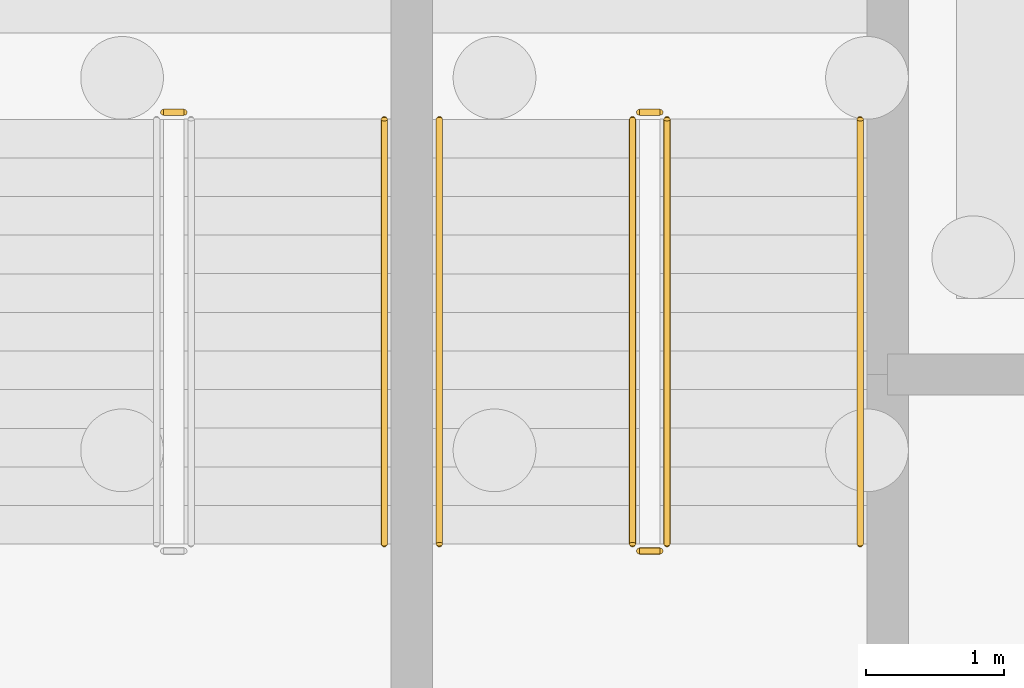
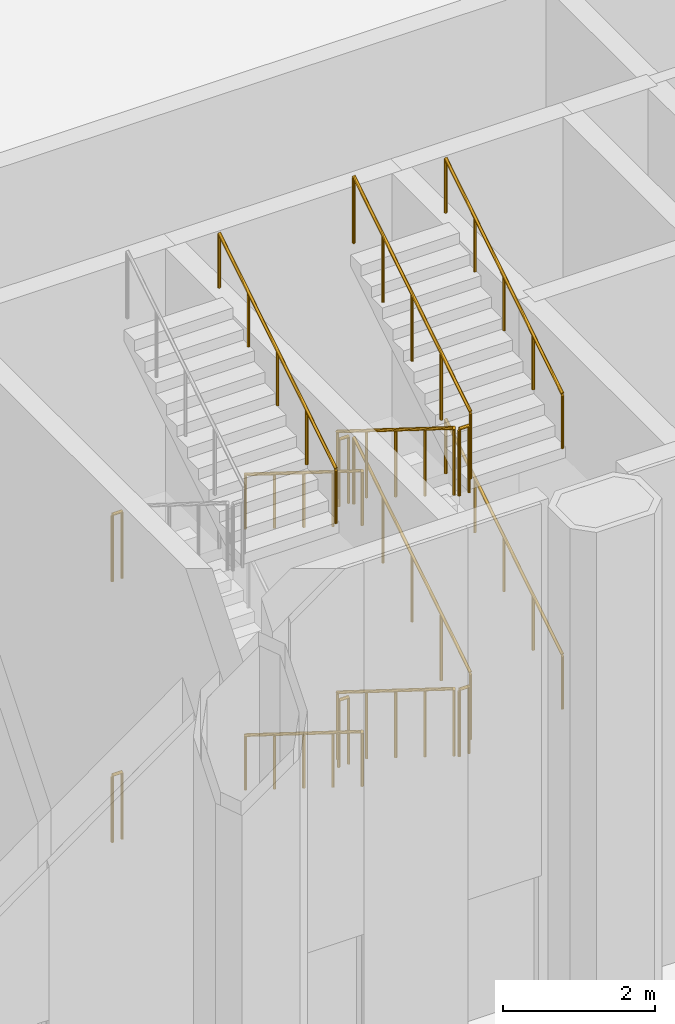
# One storey, part 48 of 54: 15 railings.
"""IFC4 building model written with IfcOpenShell, lengths in metres."""

import ifcopenshell
import ifcopenshell.guid

model = None  # the IFC model being written
_history = None  # IfcOwnerHistory: only IFC2X3 demands one
_inside = {}  # id of a spatial element -> (the spatial element, [elements in it])
_under = {}  # id of a project, library or spatial element -> (it, [spatial elements below it])
_declared = {}  # id of a project -> (the project, [libraries it declares])
_typed = {}  # id of a type object -> (the type object, [elements of that type])
_made_of = {}  # id of a material, layer set ... -> (it, [elements and type objects made of it])


def new_model(schema):
    """Start an empty IFC model of exactly this schema.

    Asked for "IFC4X3", IfcOpenShell would pick the latest addendum, in which some entities
    have other attributes; the version numbers below select the first issue.
    IFC2X3 requires an IfcOwnerHistory on every rooted entity: one is made here for all.
    """
    global model, _history
    if schema == "IFC4X3":
        model = ifcopenshell.file(schema_version=(4, 3, 0, 0))
    else:
        model = ifcopenshell.file(schema=schema)
    _inside.clear()
    _under.clear()
    _declared.clear()
    _typed.clear()
    _made_of.clear()
    _history = None
    if model.schema == "IFC2X3":
        org = make("IfcOrganization", Name="unknown")
        user = make(
            "IfcPersonAndOrganization",
            ThePerson=make("IfcPerson", FamilyName="unknown"),
            TheOrganization=org,
        )
        app = make(
            "IfcApplication",
            ApplicationDeveloper=org,
            Version="unknown",
            ApplicationFullName="unknown",
            ApplicationIdentifier="unknown",
        )
        _history = make(
            "IfcOwnerHistory",
            OwningUser=user,
            OwningApplication=app,
            ChangeAction="ADDED",
            CreationDate=0,
        )
    return model


def make(cls, **values):
    """One entity of the class cls with the attributes given. An attribute that is None is left unset."""
    return model.create_entity(
        cls, **{name: value for name, value in values.items() if value is not None}
    )


def rooted(cls, **values):
    """An entity with a GlobalId (a new one), such as an element, a storey or a relation."""
    return make(cls, GlobalId=ifcopenshell.guid.new(), OwnerHistory=_history, **values)


def si_unit(unit_type, name, prefix=None):
    """IfcSIUnit, for example si_unit("LENGTHUNIT", "METRE", prefix="MILLI")."""
    return make("IfcSIUnit", UnitType=unit_type, Prefix=prefix, Name=name)


def assignment(units):
    """IfcUnitAssignment: the units of a project."""
    return None if units is None else make("IfcUnitAssignment", Units=units)


def point(xyz):
    """IfcCartesianPoint."""
    return None if xyz is None else make("IfcCartesianPoint", Coordinates=xyz)


def direction(xyz):
    """IfcDirection."""
    return None if xyz is None else make("IfcDirection", DirectionRatios=xyz)


def frame(location, z_axis=None, x_axis=None):
    """IfcAxis2Placement3D, a coordinate frame: its origin and axes. An axis left out is left unset."""
    return make(
        "IfcAxis2Placement3D",
        Location=point(location),
        Axis=direction(z_axis),
        RefDirection=direction(x_axis),
    )


def frame_2d(location, x_axis=None):
    """IfcAxis2Placement2D, a coordinate frame in the plane: its origin and x axis."""
    return make(
        "IfcAxis2Placement2D", Location=point(location), RefDirection=direction(x_axis)
    )


def origin():
    """The frame at (0, 0, 0) with its axes left unset."""
    return frame((0.0, 0.0, 0.0))


def origin_2d():
    """The frame at (0, 0) in the plane with its x axis left unset."""
    return frame_2d((0.0, 0.0))


def place(relative_to, where):
    """IfcLocalPlacement: puts the frame where relative to a parent placement (None: the world)."""
    return make(
        "IfcLocalPlacement", PlacementRelTo=relative_to, RelativePlacement=where
    )


def context(
    kind, dimensions, precision=None, world=None, true_north=None, identifier=None
):
    """IfcGeometricRepresentationContext, for example the 3D "Model" context."""
    return make(
        "IfcGeometricRepresentationContext",
        ContextIdentifier=identifier,
        ContextType=kind,
        CoordinateSpaceDimension=dimensions,
        Precision=precision,
        WorldCoordinateSystem=world,
        TrueNorth=true_north,
    )


def subcontext(parent, identifier, kind, view, scale=None):
    """IfcGeometricRepresentationSubContext, for example "Body" below "Model"."""
    return make(
        "IfcGeometricRepresentationSubContext",
        ContextIdentifier=identifier,
        ContextType=kind,
        ParentContext=parent,
        TargetScale=scale,
        TargetView=view,
    )


def project(units=None, contexts=None):
    """IfcProject with its units and contexts."""
    return rooted(
        "IfcProject",
        Name="project",
        RepresentationContexts=contexts,
        UnitsInContext=assignment(units),
    )


def spatial(cls, under=None, at=None, **own):
    """A site, building, storey or space (cls), placed at a placement, below another one or the project."""
    s = rooted(cls, ObjectPlacement=at, **own)
    if under is not None:
        _under.setdefault(under.id(), (under, []))[1].append(s)
    return s


def profile(cls, at=None, kind="AREA", **sizes):
    """A parametric profile (cls). Its sizes go by their IFC names, for example OverallWidth=200.0."""
    return make(cls, ProfileType=kind, Position=at, **sizes)


def circle(**sizes):
    """IfcCircleProfileDef."""
    return profile("IfcCircleProfileDef", **sizes)


def extrude(swept, where, along, depth):
    """IfcExtrudedAreaSolid: the profile swept, set in the frame where, extruded along a direction by depth."""
    return make(
        "IfcExtrudedAreaSolid",
        SweptArea=swept,
        Position=where,
        ExtrudedDirection=direction(along),
        Depth=depth,
    )


def shape(context_of_items, identifier, shape_type, items):
    """IfcShapeRepresentation: the items that make up one representation, for example the "Body"."""
    return make(
        "IfcShapeRepresentation",
        ContextOfItems=context_of_items,
        RepresentationIdentifier=identifier,
        RepresentationType=shape_type,
        Items=items,
    )


def material(Name=None, Category=None):
    """IfcMaterial."""
    return make("IfcMaterial", Name=Name, Category=Category)


def made_of(thing, what):
    """Note that an element or type object is made of a material, layer set ...; save() writes the relation."""
    if what is not None:
        _made_of.setdefault(what.id(), (what, []))[1].append(thing)
    return thing


def type_object(cls, material=None, **own):
    """A type object (cls), such as IfcWallType, which elements share."""
    return made_of(rooted(cls, **own), material)


def element(
    cls,
    number,
    at=None,
    inside=None,
    cuts=None,
    type_object=None,
    material=None,
    context=None,
    identifier="Body",
    shape_type=None,
    held_by="IfcProductDefinitionShape",
    body=None,
    shapes=None,
    **own,
):
    """One element of the class cls, such as IfcWall. Its Tag is "e" and its number.

    at: its placement. inside: the storey or other place that contains it. cuts: it is an
    opening in that element (IfcRelVoidsElement). A single representation is given by context,
    identifier, shape_type and body (its items); several are given by shapes. held_by: the class
    of the entity that holds the representations. save() writes the other relations.
    """
    e = rooted(cls, Tag="e%d" % number, ObjectPlacement=at, **own)
    if body is not None:
        shapes = [shape(context, identifier, shape_type, body)]
    if shapes is not None:
        e.Representation = make(held_by, Representations=shapes)
    if inside is not None:
        _inside.setdefault(inside.id(), (inside, []))[1].append(e)
    if cuts is not None:
        rooted(
            "IfcRelVoidsElement", RelatingBuildingElement=cuts, RelatedOpeningElement=e
        )
    if type_object is not None:
        _typed.setdefault(type_object.id(), (type_object, []))[1].append(e)
    return made_of(e, material)


def aggregate(whole, parts):
    """IfcRelAggregates: a whole, such as a stair, and the parts it consists of."""
    return rooted("IfcRelAggregates", RelatingObject=whole, RelatedObjects=parts)


def save(model, path):
    """Write the relations noted so far, then the file.

    IfcRelAggregates (storeys below a building ...), IfcRelContainedInSpatialStructure (elements
    in a storey), IfcRelDefinesByType, IfcRelAssociatesMaterial and IfcRelDeclares: one each for
    every whole, place, type object, material and project.
    """
    for whole, parts in _under.values():
        aggregate(whole, parts)
    for where, things in _inside.values():
        rooted(
            "IfcRelContainedInSpatialStructure",
            RelatedElements=things,
            RelatingStructure=where,
        )
    for kind, things in _typed.values():
        rooted("IfcRelDefinesByType", RelatedObjects=things, RelatingType=kind)
    for what, things in _made_of.values():
        rooted("IfcRelAssociatesMaterial", RelatedObjects=things, RelatingMaterial=what)
    for by, libraries in _declared.values():
        rooted("IfcRelDeclares", RelatingContext=by, RelatedDefinitions=libraries)
    model.write(path)


model = new_model("IFC4")

# Units and contexts
model_context = context("Model", 3, precision=1e-05, world=origin(), true_north=direction((0.0, 1.0)))
body_context = subcontext(model_context, "Body", "Model", "MODEL_VIEW")
ifc_project = project(units=[si_unit("LENGTHUNIT", "METRE"), si_unit("AREAUNIT", "SQUARE_METRE"), si_unit("VOLUMEUNIT", "CUBIC_METRE"), si_unit("PLANEANGLEUNIT", "RADIAN"), si_unit("MASSUNIT", "GRAM", prefix="KILO")], contexts=[model_context])

# Site, building, storey
site_placement = place(None, origin())
site = spatial("IfcSite", under=ifc_project, at=site_placement, CompositionType="ELEMENT")
building_placement = place(site_placement, origin())
building = spatial("IfcBuilding", under=site, at=building_placement, Name="Tabaq Tower and Sports Hall", CompositionType="ELEMENT")
storey_placement = place(building_placement, origin())
storey = spatial("IfcBuildingStorey", under=building, at=storey_placement, Name="L00", CompositionType="ELEMENT", Elevation=0.0)

# Railings
ifc_material_1 = material(Name="Stainless steel and glass balustrade", Category="steel")
railing_type_1 = type_object("IfcRailingType", Name="HALL GUARD 1100", PredefinedType="GUARDRAIL", material=ifc_material_1)
for number, where, name in (
    (1, (104.25, 6.5, 4.199951171875), "L00 ST-H3 stair guard 4"),
    (2, (104.25, 6.5, 0.0), "L00 ST-H3 stair guard 8"),
):
    element("IfcRailing", number, at=place(storey_placement, frame(where)), inside=storey, type_object=railing_type_1, Name=name, PredefinedType="GUARDRAIL", context=body_context, shape_type="SweptSolid", body=[
        extrude(circle(Radius=0.02392578125, at=origin_2d()), frame((0.0, 0.0, 1.076171875), z_axis=(1.0, 0.0, 0.0), x_axis=(0.0, 1.0, 0.0)), (0.0, 0.0, 1.0), 0.14990234375),
        extrude(circle(Radius=0.02099609375, at=origin_2d()), origin(), (0.0, 0.0, 1.0), 1.052001953125),
        extrude(circle(Radius=0.02099609375, at=origin_2d()), frame((0.14990234375, 0.0, 0.0)), (0.0, 0.0, 1.0), 1.052001953125),
    ])
railing_1_placement = place(storey_placement, frame((107.64990234375, 6.449951171875, 0.175048828125)))
element("IfcRailing", 3, at=railing_1_placement, inside=storey, type_object=railing_type_1, Name="L00 ST-H4 stair guard 1", PredefinedType="GUARDRAIL", context=body_context, shape_type="SweptSolid", body=[
    extrude(circle(Radius=0.02392578125, at=origin_2d()), frame((0.0, 0.0, 1.076171875), z_axis=(0.0, -0.847979421464, 0.530029150871), x_axis=(1.0, 0.0, 0.0)), (0.0, 0.0, 1.0), 3.632080078125),
    extrude(circle(Radius=0.02099609375, at=origin_2d()), origin(), (0.0, 0.0, 1.0), 1.052001953125),
    extrude(circle(Radius=0.02099609375, at=origin_2d()), frame((0.0, -0.77001953125, 0.481201171875)), (0.0, 0.0, 1.0), 1.052001953125),
    extrude(circle(Radius=0.02099609375, at=origin_2d()), frame((0.0, -1.5400390625, 0.96240234375)), (0.0, 0.0, 1.0), 1.052001953125),
    extrude(circle(Radius=0.02099609375, at=origin_2d()), frame((0.0, -2.309814453125, 1.44384765625)), (0.0, 0.0, 1.0), 1.052001953125),
    extrude(circle(Radius=0.02099609375, at=origin_2d()), frame((0.0, -3.079833984375, 1.925048828125)), (0.0, 0.0, 1.0), 1.052001953125),
])
railing_2_placement = place(storey_placement, frame((107.699951171875, 3.320068359375, 2.10009765625)))
element("IfcRailing", 4, at=railing_2_placement, inside=storey, type_object=railing_type_1, Name="L00 ST-H4 stair guard 2", PredefinedType="GUARDRAIL", context=body_context, shape_type="SweptSolid", body=[
    extrude(circle(Radius=0.02392578125, at=origin_2d()), frame((0.0, 0.0, 1.076171875), z_axis=(1.0, 0.0, 0.0), x_axis=(0.0, 1.0, 0.0)), (0.0, 0.0, 1.0), 0.150146484375),
    extrude(circle(Radius=0.02099609375, at=origin_2d()), origin(), (0.0, 0.0, 1.0), 1.052001953125),
    extrude(circle(Radius=0.02099609375, at=origin_2d()), frame((0.150146484375, 0.0, 0.0)), (0.0, 0.0, 1.0), 1.052001953125),
])
railing_3_placement = place(storey_placement, frame((107.89990234375, 3.3701171875, 2.27490234375)))
element("IfcRailing", 5, at=railing_3_placement, inside=storey, type_object=railing_type_1, Name="L00 ST-H4 stair guard 3", PredefinedType="GUARDRAIL", context=body_context, shape_type="SweptSolid", body=[
    extrude(circle(Radius=0.02392578125, at=origin_2d()), frame((0.0, 0.0, 1.076171875), z_axis=(0.0, 0.847979421464, 0.530029150871), x_axis=(-1.0, 0.0, 0.0)), (0.0, 0.0, 1.0), 3.632080078125),
    extrude(circle(Radius=0.02099609375, at=origin_2d()), origin(), (0.0, 0.0, 1.0), 1.052001953125),
    extrude(circle(Radius=0.02099609375, at=origin_2d()), frame((0.0, 0.77001953125, 0.481201171875)), (0.0, 0.0, 1.0), 1.052001953125),
    extrude(circle(Radius=0.02099609375, at=origin_2d()), frame((0.0, 1.5400390625, 0.96240234375)), (0.0, 0.0, 1.0), 1.052001953125),
    extrude(circle(Radius=0.02099609375, at=origin_2d()), frame((0.0, 2.309814453125, 1.44384765625)), (0.0, 0.0, 1.0), 1.052001953125),
    extrude(circle(Radius=0.02099609375, at=origin_2d()), frame((0.0, 3.079833984375, 1.925048828125)), (0.0, 0.0, 1.0), 1.052001953125),
])
railing_4_placement = place(storey_placement, frame((107.699951171875, 6.5, 4.199951171875)))
element("IfcRailing", 6, at=railing_4_placement, inside=storey, type_object=railing_type_1, Name="L00 ST-H4 stair guard 4", PredefinedType="GUARDRAIL", context=body_context, shape_type="SweptSolid", body=[
    extrude(circle(Radius=0.02392578125, at=origin_2d()), frame((0.0, 0.0, 1.076171875), z_axis=(1.0, 0.0, 0.0), x_axis=(0.0, 1.0, 0.0)), (0.0, 0.0, 1.0), 0.150146484375),
    extrude(circle(Radius=0.02099609375, at=origin_2d()), origin(), (0.0, 0.0, 1.0), 1.052001953125),
    extrude(circle(Radius=0.02099609375, at=origin_2d()), frame((0.150146484375, 0.0, 0.0)), (0.0, 0.0, 1.0), 1.052001953125),
])
railing_5_placement = place(storey_placement, frame((107.64990234375, 6.449951171875, 4.375)))
element("IfcRailing", 7, at=railing_5_placement, inside=storey, type_object=railing_type_1, Name="L00 ST-H4 stair guard 5", PredefinedType="GUARDRAIL", context=body_context, shape_type="SweptSolid", body=[
    extrude(circle(Radius=0.02392578125, at=origin_2d()), frame((0.0, 0.0, 1.076171875), z_axis=(0.0, -0.847979421464, 0.530029150871), x_axis=(1.0, 0.0, 0.0)), (0.0, 0.0, 1.0), 3.632080078125),
    extrude(circle(Radius=0.02099609375, at=origin_2d()), origin(), (0.0, 0.0, 1.0), 1.052001953125),
    extrude(circle(Radius=0.02099609375, at=origin_2d()), frame((0.0, -0.77001953125, 0.481201171875)), (0.0, 0.0, 1.0), 1.052001953125),
    extrude(circle(Radius=0.02099609375, at=origin_2d()), frame((0.0, -1.5400390625, 0.96240234375)), (0.0, 0.0, 1.0), 1.052001953125),
    extrude(circle(Radius=0.02099609375, at=origin_2d()), frame((0.0, -2.309814453125, 1.44384765625)), (0.0, 0.0, 1.0), 1.052001953125),
    extrude(circle(Radius=0.02099609375, at=origin_2d()), frame((0.0, -3.079833984375, 1.925048828125)), (0.0, 0.0, 1.0), 1.052001953125),
])
railing_6_placement = place(storey_placement, frame((107.699951171875, 3.320068359375, 6.300048828125)))
element("IfcRailing", 8, at=railing_6_placement, inside=storey, type_object=railing_type_1, Name="L00 ST-H4 stair guard 6", PredefinedType="GUARDRAIL", context=body_context, shape_type="SweptSolid", body=[
    extrude(circle(Radius=0.02392578125, at=origin_2d()), frame((0.0, 0.0, 1.076171875), z_axis=(1.0, 0.0, 0.0), x_axis=(0.0, 1.0, 0.0)), (0.0, 0.0, 1.0), 0.150146484375),
    extrude(circle(Radius=0.02099609375, at=origin_2d()), origin(), (0.0, 0.0, 1.0), 1.052001953125),
    extrude(circle(Radius=0.02099609375, at=origin_2d()), frame((0.150146484375, 0.0, 0.0)), (0.0, 0.0, 1.0), 1.052001953125),
])
railing_7_placement = place(storey_placement, frame((107.89990234375, 3.3701171875, 6.47509765625)))
element("IfcRailing", 9, at=railing_7_placement, inside=storey, type_object=railing_type_1, Name="L00 ST-H4 stair guard 7", PredefinedType="GUARDRAIL", context=body_context, shape_type="SweptSolid", body=[
    extrude(circle(Radius=0.02392578125, at=origin_2d()), frame((0.0, 0.0, 1.076171875), z_axis=(0.0, 0.848009633417, 0.529980812513), x_axis=(-1.0, 0.0, 0.0)), (0.0, 0.0, 1.0), 3.6318359375),
    extrude(circle(Radius=0.02099609375, at=origin_2d()), origin(), (0.0, 0.0, 1.0), 1.052001953125),
    extrude(circle(Radius=0.02099609375, at=origin_2d()), frame((0.0, 0.77001953125, 0.481201171875)), (0.0, 0.0, 1.0), 1.052001953125),
    extrude(circle(Radius=0.02099609375, at=origin_2d()), frame((0.0, 1.5400390625, 0.96240234375)), (0.0, 0.0, 1.0), 1.052001953125),
    extrude(circle(Radius=0.02099609375, at=origin_2d()), frame((0.0, 2.309814453125, 1.443603515625)), (0.0, 0.0, 1.0), 1.052001953125),
    extrude(circle(Radius=0.02099609375, at=origin_2d()), frame((0.0, 3.079833984375, 1.9248046875)), (0.0, 0.0, 1.0), 1.052001953125),
])
railing_8_placement = place(storey_placement, frame((107.699951171875, 6.5, 0.0)))
element("IfcRailing", 10, at=railing_8_placement, inside=storey, type_object=railing_type_1, Name="L00 ST-H4 stair guard 8", PredefinedType="GUARDRAIL", context=body_context, shape_type="SweptSolid", body=[
    extrude(circle(Radius=0.02392578125, at=origin_2d()), frame((0.0, 0.0, 1.076171875), z_axis=(1.0, 0.0, 0.0), x_axis=(0.0, 1.0, 0.0)), (0.0, 0.0, 1.0), 0.150146484375),
    extrude(circle(Radius=0.02099609375, at=origin_2d()), origin(), (0.0, 0.0, 1.0), 1.052001953125),
    extrude(circle(Radius=0.02099609375, at=origin_2d()), frame((0.150146484375, 0.0, 0.0)), (0.0, 0.0, 1.0), 1.052001953125),
])
ifc_material_2 = material(Name="Stainless steel handrail", Category="steel")
railing_type_2 = type_object("IfcRailingType", Name="HALL HANDRAIL 900", PredefinedType="HANDRAIL", material=ifc_material_2)
railing_9_placement = place(storey_placement, frame((105.85009765625, 3.3701171875, 6.47509765625)))
element("IfcRailing", 11, at=railing_9_placement, inside=storey, type_object=railing_type_2, Name="L00 ST-H3 stair handrail 4", PredefinedType="HANDRAIL", context=body_context, shape_type="SweptSolid", body=[
    extrude(circle(Radius=0.02392578125, at=origin_2d()), frame((0.0, 0.0, 0.8759765625), z_axis=(0.0, 0.848009633417, 0.529980812513), x_axis=(-1.0, 0.0, 0.0)), (0.0, 0.0, 1.0), 3.6318359375),
    extrude(circle(Radius=0.02099609375, at=origin_2d()), origin(), (0.0, 0.0, 1.0), 0.851806640625),
    extrude(circle(Radius=0.02099609375, at=origin_2d()), frame((0.0, 0.77001953125, 0.481201171875)), (0.0, 0.0, 1.0), 0.851806640625),
    extrude(circle(Radius=0.02099609375, at=origin_2d()), frame((0.0, 1.5400390625, 0.96240234375)), (0.0, 0.0, 1.0), 0.851806640625),
    extrude(circle(Radius=0.02099609375, at=origin_2d()), frame((0.0, 2.309814453125, 1.443603515625)), (0.0, 0.0, 1.0), 0.851806640625),
    extrude(circle(Radius=0.02099609375, at=origin_2d()), frame((0.0, 3.079833984375, 1.9248046875)), (0.0, 0.0, 1.0), 0.851806640625),
])
railing_10_placement = place(storey_placement, frame((106.25, 6.449951171875, 0.175048828125)))
element("IfcRailing", 12, at=railing_10_placement, inside=storey, type_object=railing_type_2, Name="L00 ST-H4 stair handrail 1", PredefinedType="HANDRAIL", context=body_context, shape_type="SweptSolid", body=[
    extrude(circle(Radius=0.02392578125, at=origin_2d()), frame((0.0, 0.0, 0.8759765625), z_axis=(0.0, -0.847979421464, 0.530029150871), x_axis=(1.0, 0.0, 0.0)), (0.0, 0.0, 1.0), 3.632080078125),
    extrude(circle(Radius=0.02099609375, at=origin_2d()), origin(), (0.0, 0.0, 1.0), 0.851806640625),
    extrude(circle(Radius=0.02099609375, at=origin_2d()), frame((0.0, -0.77001953125, 0.481201171875)), (0.0, 0.0, 1.0), 0.851806640625),
    extrude(circle(Radius=0.02099609375, at=origin_2d()), frame((0.0, -1.5400390625, 0.96240234375)), (0.0, 0.0, 1.0), 0.851806640625),
    extrude(circle(Radius=0.02099609375, at=origin_2d()), frame((0.0, -2.309814453125, 1.44384765625)), (0.0, 0.0, 1.0), 0.851806640625),
    extrude(circle(Radius=0.02099609375, at=origin_2d()), frame((0.0, -3.079833984375, 1.925048828125)), (0.0, 0.0, 1.0), 0.851806640625),
])
railing_11_placement = place(storey_placement, frame((109.300048828125, 3.3701171875, 2.27490234375)))
element("IfcRailing", 13, at=railing_11_placement, inside=storey, type_object=railing_type_2, Name="L00 ST-H4 stair handrail 2", PredefinedType="HANDRAIL", context=body_context, shape_type="SweptSolid", body=[
    extrude(circle(Radius=0.02392578125, at=origin_2d()), frame((0.0, 0.0, 0.8759765625), z_axis=(0.0, 0.847979421464, 0.530029150871), x_axis=(-1.0, 0.0, 0.0)), (0.0, 0.0, 1.0), 3.632080078125),
    extrude(circle(Radius=0.02099609375, at=origin_2d()), origin(), (0.0, 0.0, 1.0), 0.851806640625),
    extrude(circle(Radius=0.02099609375, at=origin_2d()), frame((0.0, 0.77001953125, 0.481201171875)), (0.0, 0.0, 1.0), 0.851806640625),
    extrude(circle(Radius=0.02099609375, at=origin_2d()), frame((0.0, 1.5400390625, 0.96240234375)), (0.0, 0.0, 1.0), 0.851806640625),
    extrude(circle(Radius=0.02099609375, at=origin_2d()), frame((0.0, 2.309814453125, 1.44384765625)), (0.0, 0.0, 1.0), 0.851806640625),
    extrude(circle(Radius=0.02099609375, at=origin_2d()), frame((0.0, 3.079833984375, 1.925048828125)), (0.0, 0.0, 1.0), 0.851806640625),
])
railing_12_placement = place(storey_placement, frame((106.25, 6.449951171875, 4.375)))
element("IfcRailing", 14, at=railing_12_placement, inside=storey, type_object=railing_type_2, Name="L00 ST-H4 stair handrail 3", PredefinedType="HANDRAIL", context=body_context, shape_type="SweptSolid", body=[
    extrude(circle(Radius=0.02392578125, at=origin_2d()), frame((0.0, 0.0, 0.8759765625), z_axis=(0.0, -0.847979421464, 0.530029150871), x_axis=(1.0, 0.0, 0.0)), (0.0, 0.0, 1.0), 3.632080078125),
    extrude(circle(Radius=0.02099609375, at=origin_2d()), origin(), (0.0, 0.0, 1.0), 0.851806640625),
    extrude(circle(Radius=0.02099609375, at=origin_2d()), frame((0.0, -0.77001953125, 0.481201171875)), (0.0, 0.0, 1.0), 0.851806640625),
    extrude(circle(Radius=0.02099609375, at=origin_2d()), frame((0.0, -1.5400390625, 0.96240234375)), (0.0, 0.0, 1.0), 0.851806640625),
    extrude(circle(Radius=0.02099609375, at=origin_2d()), frame((0.0, -2.309814453125, 1.44384765625)), (0.0, 0.0, 1.0), 0.851806640625),
    extrude(circle(Radius=0.02099609375, at=origin_2d()), frame((0.0, -3.079833984375, 1.925048828125)), (0.0, 0.0, 1.0), 0.851806640625),
])
railing_13_placement = place(storey_placement, frame((109.300048828125, 3.3701171875, 6.47509765625)))
element("IfcRailing", 15, at=railing_13_placement, inside=storey, type_object=railing_type_2, Name="L00 ST-H4 stair handrail 4", PredefinedType="HANDRAIL", context=body_context, shape_type="SweptSolid", body=[
    extrude(circle(Radius=0.02392578125, at=origin_2d()), frame((0.0, 0.0, 0.8759765625), z_axis=(0.0, 0.848009633417, 0.529980812513), x_axis=(-1.0, 0.0, 0.0)), (0.0, 0.0, 1.0), 3.6318359375),
    extrude(circle(Radius=0.02099609375, at=origin_2d()), origin(), (0.0, 0.0, 1.0), 0.851806640625),
    extrude(circle(Radius=0.02099609375, at=origin_2d()), frame((0.0, 0.77001953125, 0.481201171875)), (0.0, 0.0, 1.0), 0.851806640625),
    extrude(circle(Radius=0.02099609375, at=origin_2d()), frame((0.0, 1.5400390625, 0.96240234375)), (0.0, 0.0, 1.0), 0.851806640625),
    extrude(circle(Radius=0.02099609375, at=origin_2d()), frame((0.0, 2.309814453125, 1.443603515625)), (0.0, 0.0, 1.0), 0.851806640625),
    extrude(circle(Radius=0.02099609375, at=origin_2d()), frame((0.0, 3.079833984375, 1.9248046875)), (0.0, 0.0, 1.0), 0.851806640625),
])

save(model, "model.ifc")
